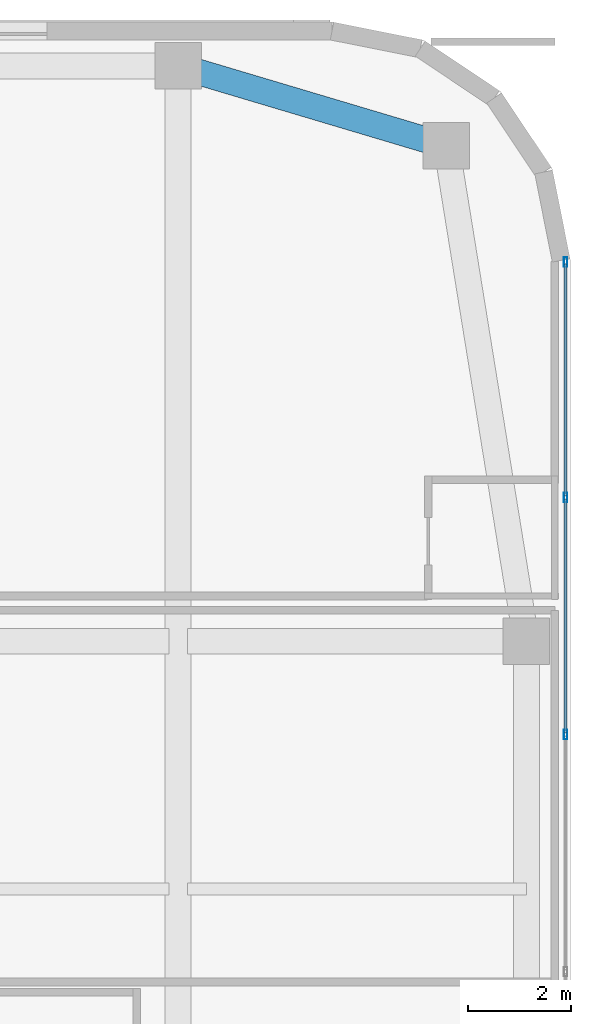
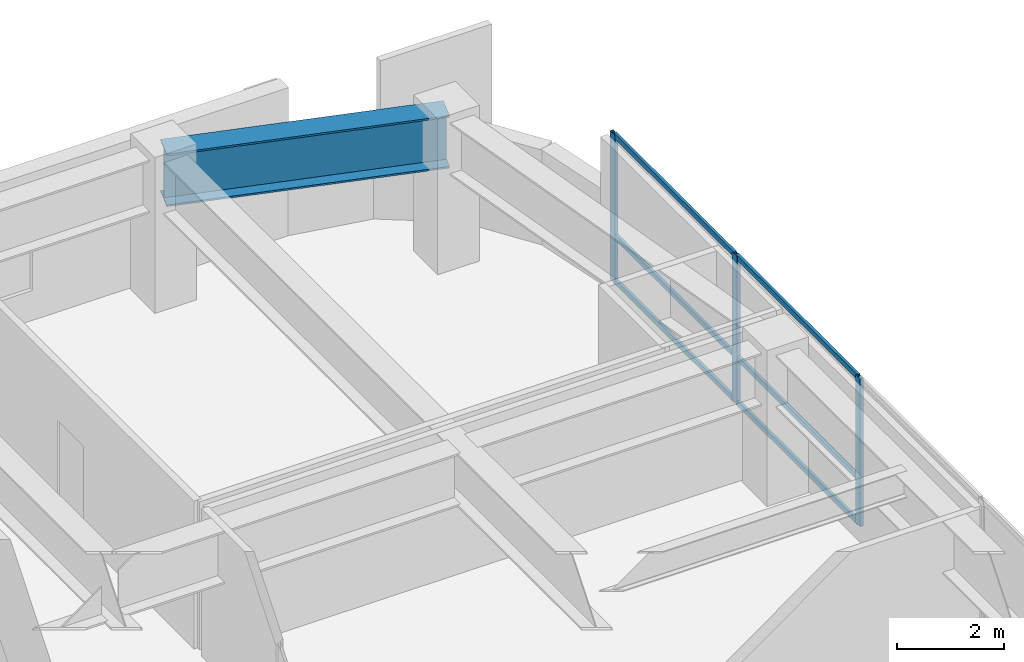
# One storey, part 17 of 31: 9 members, 1 beam, 1 element without a shape of its own.
"""IFC4 building model written with IfcOpenShell, lengths in metres."""

from ifc_helpers import new_model, si_unit, direction, frame, origin, origin_2d, place, context, subcontext, project, spatial, hollow_rectangle, i_section, extrude, source, transform, mapped, material, layer, layer_set, material_profile, profile_set, type_object, type_shapes, element, aggregate, save


model = new_model("IFC4")

# Units and contexts
model_context = context("Model", 3, precision=1e-05, world=origin(), true_north=direction((0.0, 1.0)))
body_context = subcontext(model_context, "Body", "Model", "MODEL_VIEW")
ifc_project = project(units=[si_unit("LENGTHUNIT", "METRE"), si_unit("AREAUNIT", "SQUARE_METRE"), si_unit("VOLUMEUNIT", "CUBIC_METRE"), si_unit("PLANEANGLEUNIT", "RADIAN"), si_unit("MASSUNIT", "GRAM", prefix="KILO")], contexts=[model_context])

# Site, building, storey
site_placement = place(None, origin())
site = spatial("IfcSite", under=ifc_project, at=site_placement, CompositionType="ELEMENT")
building_placement = place(site_placement, origin())
building = spatial("IfcBuilding", under=site, at=building_placement, Name="Tolvann Quenvar Hotel", CompositionType="ELEMENT")
storey_placement = place(building_placement, frame((0.0, 0.0, 125.75)))
storey = spatial("IfcBuildingStorey", under=building, at=storey_placement, Name="L32", CompositionType="ELEMENT", Elevation=125.75)

# Beam
ifc_material_1 = material(Name="Steel Grade 350", Category="steel")
ifc_material_profile_1 = material_profile(ifc_material_1, i_section(OverallWidth=0.5, OverallDepth=1.199951171875, WebThickness=0.01611328125, FlangeThickness=0.0400390625, at=origin_2d()), Name="1200WB455")
ifc_profile_set_1 = profile_set([ifc_material_profile_1], Name="Steel Grade 350")
beam_type = type_object("IfcBeamType", Name="BM_TG_1200WB455", PredefinedType="USERDEFINED", material=ifc_profile_set_1)
shared_shape_1 = source(origin(), body_context, "Body", "SweptSolid", [
    extrude(i_section(OverallWidth=0.5, OverallDepth=1.199951171875, WebThickness=0.01611328125, FlangeThickness=0.0400390625, at=origin_2d()), origin(), (0.0, 0.0, 1.0), 5.42626953125),
])
type_shapes(beam_type, [shared_shape_1])
beam_placement = place(storey_placement, frame((54.60009765625, 43.60009765625, 2.77001953125), z_axis=(-0.958344815522, 0.285613750654, 0.0), x_axis=(-0.285613750654, -0.958344815522, 0.0)))
element("IfcBeam", 1, at=beam_placement, inside=storey, type_object=beam_type, Name="BM-L32-FLK-E3", ObjectType="TRANSFER GIRDER", PredefinedType="USERDEFINED", context=body_context, shape_type="MappedRepresentation", body=[
    mapped(shared_shape_1, transform((0.0, 0.0, 0.0), x_axis=(1.0, 0.0, 0.0), y_axis=(0.0, 1.0, 0.0), z_axis=(0.0, 0.0, 1.0), scale=1.0)),
])

# Curtain wall, members
ifc_material_2 = material(Name="Thermally broken anodised architectural aluminium 6063-T6 and laminated low-E glass", Category="aluminium")
ifc_layer = layer(ifc_material_2, 0.179931640625)
ifc_layer_set = layer_set([ifc_layer], Name="Thermally broken anodised architectural aluminium 6063-T6 and laminated low-E glass")
curtain_wall_type = type_object("IfcCurtainWallType", Name="CW_SYS_BAND_04", PredefinedType="USERDEFINED", material=ifc_layer_set)
curtain_wall_placement = place(storey_placement, origin())
curtain_wall = element("IfcCurtainWall", 2, at=curtain_wall_placement, inside=storey, type_object=curtain_wall_type, Name="Curtain Wall CW-BAND-04 (CWR-L32-E13)", ObjectType="UNITISED CURTAIN WALL", PredefinedType="USERDEFINED")
ifc_material_3 = material(Name="Anodised architectural aluminium 6063-T6 framing", Category="aluminium")
ifc_material_profile_2 = material_profile(ifc_material_3, hollow_rectangle(XDim=0.070068359375, YDim=0.179931640625, WallThickness=0.00390625, at=origin_2d()), Name="180x70x4RHS")
ifc_profile_set_2 = profile_set([ifc_material_profile_2], Name="Anodised architectural aluminium 6063-T6 framing")
member_type_1 = type_object("IfcMemberType", Name="CW_MULL_180x70", PredefinedType="MULLION", material=ifc_profile_set_2)
shared_shape_2 = source(origin(), body_context, "Body", "SweptSolid", [
    extrude(hollow_rectangle(XDim=0.070068359375, YDim=0.179931640625, WallThickness=0.00390625, at=origin_2d()), origin(), (0.0, 0.0, 1.0), 3.3701171875),
])
type_shapes(member_type_1, [shared_shape_2])
member_1_placement = place(storey_placement, frame((56.909912109375, 32.19140625, 0.0), z_axis=(0.0, 0.0, 1.0), x_axis=(-1.0, 0.0, 0.0)))
member_1 = element("IfcMember", 3, at=member_1_placement, type_object=member_type_1, Name="CW-BAND-04 mullion 7", PredefinedType="MULLION", context=body_context, shape_type="MappedRepresentation", body=[
    mapped(shared_shape_2, transform((0.0, 0.0, 0.0), x_axis=(1.0, 0.0, 0.0), y_axis=(0.0, 1.0, 0.0), z_axis=(0.0, 0.0, 1.0), scale=1.0)),
])
member_2_placement = place(storey_placement, frame((56.909912109375, 36.787109375, 0.0), z_axis=(0.0, 0.0, 1.0), x_axis=(-1.0, 0.0, 0.0)))
member_2 = element("IfcMember", 4, at=member_2_placement, type_object=member_type_1, Name="CW-BAND-04 mullion 8", PredefinedType="MULLION", context=body_context, shape_type="MappedRepresentation", body=[
    mapped(shared_shape_2, transform((0.0, 0.0, 0.0), x_axis=(1.0, 0.0, 0.0), y_axis=(0.0, 1.0, 0.0), z_axis=(0.0, 0.0, 1.0), scale=1.0)),
])
member_3_placement = place(storey_placement, frame((56.909912109375, 41.347900390625, 0.0), z_axis=(0.0, 0.0, 1.0), x_axis=(-1.0, 0.0, 0.0)))
member_3 = element("IfcMember", 5, at=member_3_placement, type_object=member_type_1, Name="CW-BAND-04 mullion 9", PredefinedType="MULLION", context=body_context, shape_type="MappedRepresentation", body=[
    mapped(shared_shape_2, transform((0.0, 0.0, 0.0), x_axis=(1.0, 0.0, 0.0), y_axis=(0.0, 1.0, 0.0), z_axis=(0.0, 0.0, 1.0), scale=1.0)),
])
ifc_material_profile_3 = material_profile(ifc_material_3, hollow_rectangle(XDim=0.06005859375, YDim=0.1201171875, WallThickness=0.00341796875, at=origin_2d()), Name="120x60x3.5RHS")
ifc_profile_set_3 = profile_set([ifc_material_profile_3], Name="Anodised architectural aluminium 6063-T6 framing")
member_type_2 = type_object("IfcMemberType", Name="CW_TRAN_120x60", PredefinedType="USERDEFINED", material=ifc_profile_set_3)
shared_shape_3 = source(origin(), body_context, "Body", "SweptSolid", [
    extrude(hollow_rectangle(XDim=0.06005859375, YDim=0.1201171875, WallThickness=0.00341796875, at=origin_2d()), origin(), (0.0, 0.0, 1.0), 4.49072265625),
])
member_4_placement = place(storey_placement, frame((56.909912109375, 36.822021484375, 0.030029296875), z_axis=(0.0, 1.0, 0.0), x_axis=(-1.0, 0.0, 0.0)))
member_4 = element("IfcMember", 6, at=member_4_placement, type_object=member_type_2, Name="CW-BAND-04 transom 8.1", ObjectType="TRANSOM", PredefinedType="USERDEFINED", context=body_context, shape_type="MappedRepresentation", body=[
    mapped(shared_shape_3, transform((0.0, 0.0, 0.0), x_axis=(1.0, 0.0, 0.0), y_axis=(0.0, 1.0, 0.0), z_axis=(0.0, 0.0, 1.0), scale=1.0)),
])
member_5_placement = place(storey_placement, frame((56.909912109375, 36.822021484375, 1.050048828125), z_axis=(0.0, 1.0, 0.0), x_axis=(-1.0, 0.0, 0.0)))
member_5 = element("IfcMember", 7, at=member_5_placement, type_object=member_type_2, Name="CW-BAND-04 transom 8.2", ObjectType="TRANSOM", PredefinedType="USERDEFINED", context=body_context, shape_type="MappedRepresentation", body=[
    mapped(shared_shape_3, transform((0.0, 0.0, 0.0), x_axis=(1.0, 0.0, 0.0), y_axis=(0.0, 1.0, 0.0), z_axis=(0.0, 0.0, 1.0), scale=1.0)),
])
member_6_placement = place(storey_placement, frame((56.909912109375, 36.822021484375, 3.340087890625), z_axis=(0.0, 1.0, 0.0), x_axis=(-1.0, 0.0, 0.0)))
member_6 = element("IfcMember", 8, at=member_6_placement, type_object=member_type_2, Name="CW-BAND-04 transom 8.3", ObjectType="TRANSOM", PredefinedType="USERDEFINED", context=body_context, shape_type="MappedRepresentation", body=[
    mapped(shared_shape_3, transform((0.0, 0.0, 0.0), x_axis=(1.0, 0.0, 0.0), y_axis=(0.0, 1.0, 0.0), z_axis=(0.0, 0.0, 1.0), scale=1.0)),
])
shared_shape_4 = source(origin(), body_context, "Body", "SweptSolid", [
    extrude(hollow_rectangle(XDim=0.06005859375, YDim=0.1201171875, WallThickness=0.00341796875, at=origin_2d()), origin(), (0.0, 0.0, 1.0), 4.52587890625),
])
type_shapes(member_type_2, [shared_shape_3, shared_shape_4])
member_7_placement = place(storey_placement, frame((56.909912109375, 32.226318359375, 0.030029296875), z_axis=(0.0, 1.0, 0.0), x_axis=(-1.0, 0.0, 0.0)))
member_7 = element("IfcMember", 9, at=member_7_placement, type_object=member_type_2, Name="CW-BAND-04 transom 7.1", ObjectType="TRANSOM", PredefinedType="USERDEFINED", context=body_context, shape_type="MappedRepresentation", body=[
    mapped(shared_shape_4, transform((0.0, 0.0, 0.0), x_axis=(1.0, 0.0, 0.0), y_axis=(0.0, 1.0, 0.0), z_axis=(0.0, 0.0, 1.0), scale=1.0)),
])
member_8_placement = place(storey_placement, frame((56.909912109375, 32.226318359375, 1.050048828125), z_axis=(0.0, 1.0, 0.0), x_axis=(-1.0, 0.0, 0.0)))
member_8 = element("IfcMember", 10, at=member_8_placement, type_object=member_type_2, Name="CW-BAND-04 transom 7.2", ObjectType="TRANSOM", PredefinedType="USERDEFINED", context=body_context, shape_type="MappedRepresentation", body=[
    mapped(shared_shape_4, transform((0.0, 0.0, 0.0), x_axis=(1.0, 0.0, 0.0), y_axis=(0.0, 1.0, 0.0), z_axis=(0.0, 0.0, 1.0), scale=1.0)),
])
member_9_placement = place(storey_placement, frame((56.909912109375, 32.226318359375, 3.340087890625), z_axis=(0.0, 1.0, 0.0), x_axis=(-1.0, 0.0, 0.0)))
member_9 = element("IfcMember", 11, at=member_9_placement, type_object=member_type_2, Name="CW-BAND-04 transom 7.3", ObjectType="TRANSOM", PredefinedType="USERDEFINED", context=body_context, shape_type="MappedRepresentation", body=[
    mapped(shared_shape_4, transform((0.0, 0.0, 0.0), x_axis=(1.0, 0.0, 0.0), y_axis=(0.0, 1.0, 0.0), z_axis=(0.0, 0.0, 1.0), scale=1.0)),
])
aggregate(curtain_wall, [member_1, member_2, member_3, member_7, member_8, member_9, member_4, member_5, member_6])

save(model, "model.ifc")
